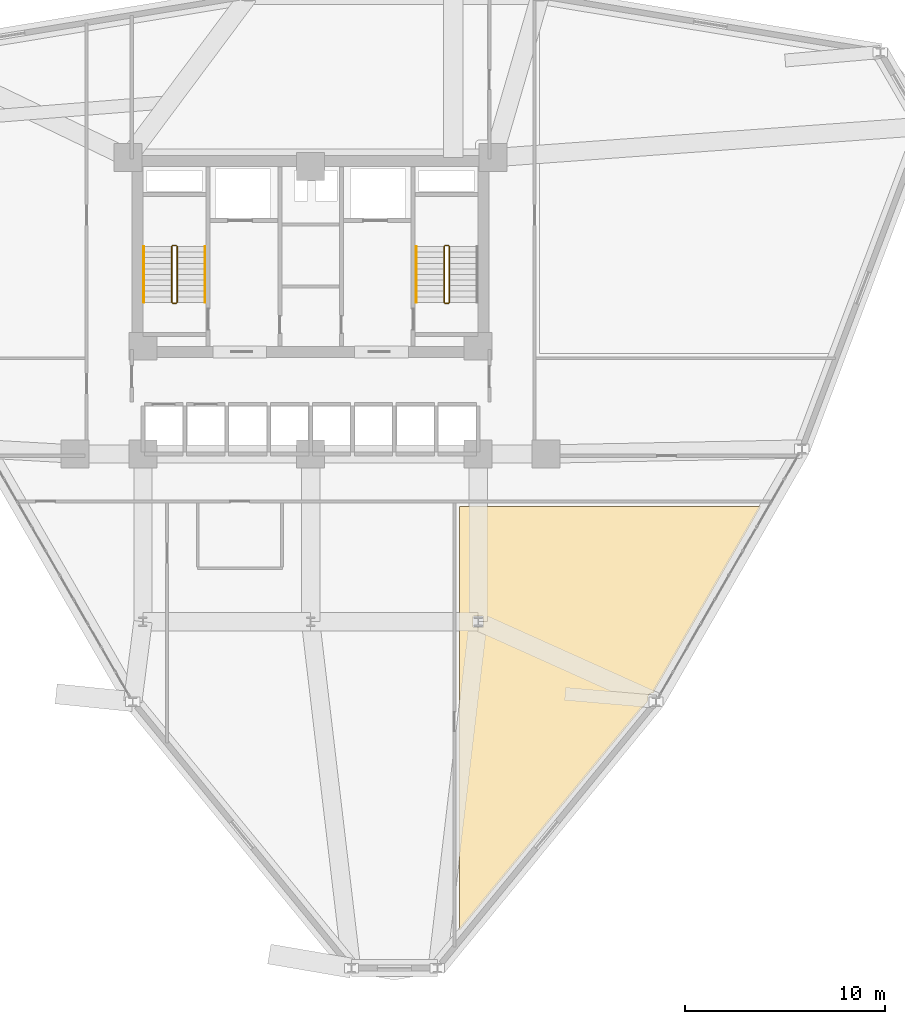
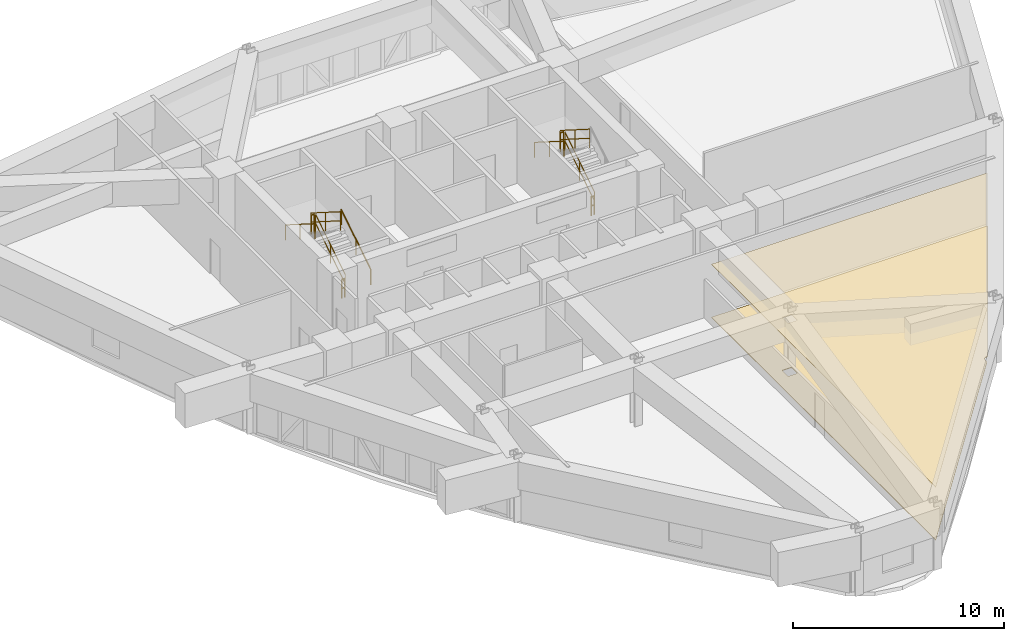
# One storey, part 17 of 18: 11 railings, 2 coverings.
"""IFC4 building model written with IfcOpenShell, lengths in metres."""

from ifc_helpers import new_model, si_unit, derived_unit, direction, frame, origin, origin_2d, place, context, subcontext, project, spatial, polyline, circle, outline, extrude, material, layer, layer_set, type_object, element, save


model = new_model("IFC4")

# Units and contexts
model_context = context("Model", 3, precision=1e-05, world=origin(), true_north=direction((0.0, 1.0)))
body_context = subcontext(model_context, "Body", "Model", "MODEL_VIEW")
ifc_project = project(units=[si_unit("LENGTHUNIT", "METRE"), si_unit("AREAUNIT", "SQUARE_METRE"), si_unit("VOLUMEUNIT", "CUBIC_METRE"), si_unit("PLANEANGLEUNIT", "RADIAN"), si_unit("MASSUNIT", "GRAM", prefix="KILO"), derived_unit("THERMALTRANSMITTANCEUNIT", [(si_unit("POWERUNIT", "WATT"), 1), (si_unit("LENGTHUNIT", "METRE"), -2), (si_unit("THERMODYNAMICTEMPERATUREUNIT", "KELVIN"), -1)])], contexts=[model_context])

# Site, building, storey
site_placement = place(None, origin())
site = spatial("IfcSite", under=ifc_project, at=site_placement, CompositionType="ELEMENT")
building_placement = place(site_placement, origin())
building = spatial("IfcBuilding", under=site, at=building_placement, Name="Korsvarv Bourse and Concert Hall", CompositionType="ELEMENT")
storey_placement = place(building_placement, frame((0.0, 0.0, 95.10009765625)))
storey = spatial("IfcBuildingStorey", under=building, at=storey_placement, Name="L23", CompositionType="ELEMENT", Elevation=95.10009765625)

# Coverings
ifc_material_1 = material(Name="Perforated mineral-wool and birch acoustic baffle ceiling", Category="wood")
ifc_layer_1 = layer(ifc_material_1, 0.02490234375)
ifc_layer_set_1 = layer_set([ifc_layer_1], Name="Perforated mineral-wool and birch acoustic baffle ceiling")
covering_type_1 = type_object("IfcCoveringType", Name="COV-CEIL-1", PredefinedType="CEILING", material=ifc_layer_set_1)
covering_1_placement = place(storey_placement, frame((0.0, 0.0, 3.079833984375)))
element("IfcCovering", 1, at=covering_1_placement, inside=storey, type_object=covering_type_1, Name="L23 acoustic baffle ceiling 2", PredefinedType="CEILING", context=body_context, shape_type="SweptSolid", body=[
    extrude(outline(polyline([(53.097900390625, 20.418212890625), (53.063720703125, 20.4150390625), (53.030517578125, 20.4052734375), (53.0, 20.389404296875), (52.972900390625, 20.367919921875), (52.95068359375, 20.341796875), (52.93359375, 20.31201171875), (52.922607421875, 20.279296875), (52.91796875, 20.2451171875), (52.910400390625, 20.040283203125), (43.449951171875, 8.51220703125), (43.449951171875, 29.77001953125), (58.56298828125, 29.77001953125), (53.163818359375, 20.418212890625), (53.097900390625, 20.418212890625)]), holes=[polyline([(44.173583984375, 23.715087890625), (44.612060546875, 23.712890625), (44.635498046875, 23.718994140625), (44.653564453125, 23.735107421875), (44.661865234375, 23.758056640625), (44.662109375, 24.237060546875), (44.656005859375, 24.260498046875), (44.639892578125, 24.278564453125), (44.616943359375, 24.286865234375), (44.18798828125, 24.287109375), (44.164306640625, 24.281005859375), (44.146484375, 24.264892578125), (44.13818359375, 24.241943359375), (44.137939453125, 23.762939453125), (44.143798828125, 23.739501953125), (44.173583984375, 23.715087890625)])]), origin(), (0.0, 0.0, 1.0), 0.025146484375),
])
ifc_material_2 = material(Name="Calcium-sulphate raised access trading floor with Nordic oak top", Category="wood")
ifc_layer_2 = layer(ifc_material_2, 0.0400390625)
ifc_layer_set_2 = layer_set([ifc_layer_2], Name="Calcium-sulphate raised access trading floor with Nordic oak top")
covering_type_2 = type_object("IfcCoveringType", Name="COV-FLOR-1", PredefinedType="FLOORING", material=ifc_layer_set_2)
covering_2_placement = place(storey_placement, origin())
element("IfcCovering", 2, at=covering_2_placement, inside=storey, type_object=covering_type_2, Name="L23 raised access oak floor finish 2", PredefinedType="FLOORING", context=body_context, shape_type="SweptSolid", body=[
    extrude(outline(polyline([(53.097900390625, 20.418212890625), (53.063720703125, 20.4150390625), (53.030517578125, 20.4052734375), (53.0, 20.389404296875), (52.972900390625, 20.367919921875), (52.95068359375, 20.341796875), (52.93359375, 20.31201171875), (52.922607421875, 20.279296875), (52.91796875, 20.2451171875), (52.910400390625, 20.040283203125), (43.449951171875, 8.51220703125), (43.449951171875, 29.77001953125), (58.56298828125, 29.77001953125), (53.163818359375, 20.418212890625), (53.097900390625, 20.418212890625)]), holes=[polyline([(44.173583984375, 23.715087890625), (44.612060546875, 23.712890625), (44.635498046875, 23.718994140625), (44.653564453125, 23.735107421875), (44.661865234375, 23.758056640625), (44.662109375, 24.237060546875), (44.656005859375, 24.260498046875), (44.639892578125, 24.278564453125), (44.616943359375, 24.286865234375), (44.18798828125, 24.287109375), (44.164306640625, 24.281005859375), (44.146484375, 24.264892578125), (44.13818359375, 24.241943359375), (44.137939453125, 23.762939453125), (44.143798828125, 23.739501953125), (44.173583984375, 23.715087890625)])]), origin(), (0.0, 0.0, 1.0), 0.039794921875),
])

# Railings
ifc_material_3 = material(Name="Painted Steel S355 stair well guardrail", Category="steel")
railing_type_1 = type_object("IfcRailingType", Name="RL-ST-GRD", PredefinedType="GUARDRAIL", material=ifc_material_3)
railing_1_placement = place(storey_placement, frame((29.31005859375, 40.0, 0.17724609375)))
element("IfcRailing", 3, at=railing_1_placement, inside=storey, type_object=railing_type_1, Name="L23 ST-T1 stair guard 1", PredefinedType="GUARDRAIL", context=body_context, shape_type="SweptSolid", body=[
    extrude(circle(Radius=0.02392578125, at=origin_2d()), frame((0.0, 0.0, 1.076171875), z_axis=(0.0, 0.844908973607, 0.534910110503), x_axis=(-1.0, 0.0, 0.0)), (0.0, 0.0, 1.0), 3.31396484375),
    extrude(circle(Radius=0.02392578125, at=origin_2d()), frame((0.0, 0.0, 0.550048828125), z_axis=(0.0, 0.844908973607, 0.534910110503), x_axis=(-1.0, 0.0, 0.0)), (0.0, 0.0, 1.0), 3.31396484375),
    extrude(circle(Radius=0.02099609375, at=origin_2d()), origin(), (0.0, 0.0, 1.0), 1.052001953125),
    extrude(circle(Radius=0.02099609375, at=origin_2d()), frame((0.0, 1.39990234375, 0.88623046875)), (0.0, 0.0, 1.0), 1.052001953125),
    extrude(circle(Radius=0.02099609375, at=origin_2d()), frame((0.0, 2.800048828125, 1.772705078125)), (0.0, 0.0, 1.0), 1.052001953125),
])
railing_2_placement = place(storey_placement, frame((29.260009765625, 42.85009765625, 1.949951171875)))
element("IfcRailing", 4, at=railing_2_placement, inside=storey, type_object=railing_type_1, Name="L23 ST-T1 stair guard 2", PredefinedType="GUARDRAIL", context=body_context, shape_type="SweptSolid", body=[
    extrude(circle(Radius=0.02392578125, at=origin_2d()), frame((0.0, 0.0, 1.076171875), z_axis=(-1.0, 0.0, 0.0), x_axis=(0.0, -1.0, 0.0)), (0.0, 0.0, 1.0), 0.159912109375),
    extrude(circle(Radius=0.02392578125, at=origin_2d()), frame((0.0, 0.0, 0.550048828125), z_axis=(-1.0, 0.0, 0.0), x_axis=(0.0, -1.0, 0.0)), (0.0, 0.0, 1.0), 0.159912109375),
    extrude(circle(Radius=0.02099609375, at=origin_2d()), origin(), (0.0, 0.0, 1.0), 1.052001953125),
    extrude(circle(Radius=0.02099609375, at=origin_2d()), frame((-0.159912109375, 0.0, 0.0)), (0.0, 0.0, 1.0), 1.052001953125),
])
railing_3_placement = place(storey_placement, frame((29.050048828125, 42.800048828125, 2.127197265625)))
element("IfcRailing", 5, at=railing_3_placement, inside=storey, type_object=railing_type_1, Name="L23 ST-T1 stair guard 3", PredefinedType="GUARDRAIL", context=body_context, shape_type="SweptSolid", body=[
    extrude(circle(Radius=0.02392578125, at=origin_2d()), frame((0.0, 0.0, 1.076171875), z_axis=(0.0, -0.844908973607, 0.534910110503), x_axis=(1.0, 0.0, 0.0)), (0.0, 0.0, 1.0), 3.31396484375),
    extrude(circle(Radius=0.02392578125, at=origin_2d()), frame((0.0, 0.0, 0.550048828125), z_axis=(0.0, -0.844908973607, 0.534910110503), x_axis=(1.0, 0.0, 0.0)), (0.0, 0.0, 1.0), 3.31396484375),
    extrude(circle(Radius=0.02099609375, at=origin_2d()), origin(), (0.0, 0.0, 1.0), 1.052001953125),
    extrude(circle(Radius=0.02099609375, at=origin_2d()), frame((0.0, -1.39990234375, 0.88623046875)), (0.0, 0.0, 1.0), 1.052001953125),
    extrude(circle(Radius=0.02099609375, at=origin_2d()), frame((0.0, -2.800048828125, 1.772705078125)), (0.0, 0.0, 1.0), 1.052001953125),
])
railing_4_placement = place(storey_placement, frame((29.260009765625, 39.949951171875, 0.0)))
element("IfcRailing", 6, at=railing_4_placement, inside=storey, type_object=railing_type_1, Name="L23 ST-T1 stair guard 4", PredefinedType="GUARDRAIL", context=body_context, shape_type="SweptSolid", body=[
    extrude(circle(Radius=0.02392578125, at=origin_2d()), frame((0.0, 0.0, 1.076171875), z_axis=(-1.0, 0.0, 0.0), x_axis=(0.0, -1.0, 0.0)), (0.0, 0.0, 1.0), 0.159912109375),
    extrude(circle(Radius=0.02392578125, at=origin_2d()), frame((0.0, 0.0, 0.550048828125), z_axis=(-1.0, 0.0, 0.0), x_axis=(0.0, -1.0, 0.0)), (0.0, 0.0, 1.0), 0.159912109375),
    extrude(circle(Radius=0.02099609375, at=origin_2d()), origin(), (0.0, 0.0, 1.0), 1.052001953125),
    extrude(circle(Radius=0.02099609375, at=origin_2d()), frame((-0.159912109375, 0.0, 0.0)), (0.0, 0.0, 1.0), 1.052001953125),
])
railing_5_placement = place(storey_placement, frame((42.949951171875, 40.0, 0.17724609375)))
element("IfcRailing", 7, at=railing_5_placement, inside=storey, type_object=railing_type_1, Name="L23 ST-T2 stair guard 1", PredefinedType="GUARDRAIL", context=body_context, shape_type="SweptSolid", body=[
    extrude(circle(Radius=0.02392578125, at=origin_2d()), frame((0.0, 0.0, 1.076171875), z_axis=(0.0, 0.844908973607, 0.534910110503), x_axis=(-1.0, 0.0, 0.0)), (0.0, 0.0, 1.0), 3.31396484375),
    extrude(circle(Radius=0.02392578125, at=origin_2d()), frame((0.0, 0.0, 0.550048828125), z_axis=(0.0, 0.844908973607, 0.534910110503), x_axis=(-1.0, 0.0, 0.0)), (0.0, 0.0, 1.0), 3.31396484375),
    extrude(circle(Radius=0.02099609375, at=origin_2d()), origin(), (0.0, 0.0, 1.0), 1.052001953125),
    extrude(circle(Radius=0.02099609375, at=origin_2d()), frame((0.0, 1.39990234375, 0.88623046875)), (0.0, 0.0, 1.0), 1.052001953125),
    extrude(circle(Radius=0.02099609375, at=origin_2d()), frame((0.0, 2.800048828125, 1.772705078125)), (0.0, 0.0, 1.0), 1.052001953125),
])
railing_6_placement = place(storey_placement, frame((42.89990234375, 42.85009765625, 1.949951171875)))
element("IfcRailing", 8, at=railing_6_placement, inside=storey, type_object=railing_type_1, Name="L23 ST-T2 stair guard 2", PredefinedType="GUARDRAIL", context=body_context, shape_type="SweptSolid", body=[
    extrude(circle(Radius=0.02392578125, at=origin_2d()), frame((0.0, 0.0, 1.076171875), z_axis=(-1.0, 0.0, 0.0), x_axis=(0.0, -1.0, 0.0)), (0.0, 0.0, 1.0), 0.159912109375),
    extrude(circle(Radius=0.02392578125, at=origin_2d()), frame((0.0, 0.0, 0.550048828125), z_axis=(-1.0, 0.0, 0.0), x_axis=(0.0, -1.0, 0.0)), (0.0, 0.0, 1.0), 0.159912109375),
    extrude(circle(Radius=0.02099609375, at=origin_2d()), origin(), (0.0, 0.0, 1.0), 1.052001953125),
    extrude(circle(Radius=0.02099609375, at=origin_2d()), frame((-0.159912109375, 0.0, 0.0)), (0.0, 0.0, 1.0), 1.052001953125),
])
railing_7_placement = place(storey_placement, frame((42.68994140625, 42.800048828125, 2.127197265625)))
element("IfcRailing", 9, at=railing_7_placement, inside=storey, type_object=railing_type_1, Name="L23 ST-T2 stair guard 3", PredefinedType="GUARDRAIL", context=body_context, shape_type="SweptSolid", body=[
    extrude(circle(Radius=0.02392578125, at=origin_2d()), frame((0.0, 0.0, 1.076171875), z_axis=(0.0, -0.844908973607, 0.534910110503), x_axis=(1.0, 0.0, 0.0)), (0.0, 0.0, 1.0), 3.31396484375),
    extrude(circle(Radius=0.02392578125, at=origin_2d()), frame((0.0, 0.0, 0.550048828125), z_axis=(0.0, -0.844908973607, 0.534910110503), x_axis=(1.0, 0.0, 0.0)), (0.0, 0.0, 1.0), 3.31396484375),
    extrude(circle(Radius=0.02099609375, at=origin_2d()), origin(), (0.0, 0.0, 1.0), 1.052001953125),
    extrude(circle(Radius=0.02099609375, at=origin_2d()), frame((0.0, -1.39990234375, 0.88623046875)), (0.0, 0.0, 1.0), 1.052001953125),
    extrude(circle(Radius=0.02099609375, at=origin_2d()), frame((0.0, -2.800048828125, 1.772705078125)), (0.0, 0.0, 1.0), 1.052001953125),
])
railing_8_placement = place(storey_placement, frame((42.89990234375, 39.949951171875, 0.0)))
element("IfcRailing", 10, at=railing_8_placement, inside=storey, type_object=railing_type_1, Name="L23 ST-T2 stair guard 4", PredefinedType="GUARDRAIL", context=body_context, shape_type="SweptSolid", body=[
    extrude(circle(Radius=0.02392578125, at=origin_2d()), frame((0.0, 0.0, 1.076171875), z_axis=(-1.0, 0.0, 0.0), x_axis=(0.0, -1.0, 0.0)), (0.0, 0.0, 1.0), 0.159912109375),
    extrude(circle(Radius=0.02392578125, at=origin_2d()), frame((0.0, 0.0, 0.550048828125), z_axis=(-1.0, 0.0, 0.0), x_axis=(0.0, -1.0, 0.0)), (0.0, 0.0, 1.0), 0.159912109375),
    extrude(circle(Radius=0.02099609375, at=origin_2d()), origin(), (0.0, 0.0, 1.0), 1.052001953125),
    extrude(circle(Radius=0.02099609375, at=origin_2d()), frame((-0.159912109375, 0.0, 0.0)), (0.0, 0.0, 1.0), 1.052001953125),
])
ifc_material_4 = material(Name="Brushed stainless Steel S355 tubular handrail", Category="steel")
railing_type_2 = type_object("IfcRailingType", Name="RL-ST-HND", PredefinedType="HANDRAIL", material=ifc_material_4)
railing_9_placement = place(storey_placement, frame((30.7099609375, 40.0, 0.17724609375)))
element("IfcRailing", 11, at=railing_9_placement, inside=storey, type_object=railing_type_2, Name="L23 ST-T1 stair handrail 1", PredefinedType="HANDRAIL", context=body_context, shape_type="SweptSolid", body=[
    extrude(circle(Radius=0.02392578125, at=origin_2d()), frame((0.0, 0.0, 0.8759765625), z_axis=(0.0, 0.844908973607, 0.534910110503), x_axis=(-1.0, 0.0, 0.0)), (0.0, 0.0, 1.0), 3.31396484375),
    extrude(circle(Radius=0.02099609375, at=origin_2d()), origin(), (0.0, 0.0, 1.0), 0.851806640625),
    extrude(circle(Radius=0.02099609375, at=origin_2d()), frame((0.0, 1.39990234375, 0.88623046875)), (0.0, 0.0, 1.0), 0.851806640625),
    extrude(circle(Radius=0.02099609375, at=origin_2d()), frame((0.0, 2.800048828125, 1.772705078125)), (0.0, 0.0, 1.0), 0.851806640625),
])
for number, where, name in (
    (12, (27.64990234375, 42.800048828125, 2.127197265625), "L23 ST-T1 stair handrail 2"),
    (13, (41.2900390625, 42.800048828125, 2.127197265625), "L23 ST-T2 stair handrail 2"),
):
    element("IfcRailing", number, at=place(storey_placement, frame(where)), inside=storey, type_object=railing_type_2, Name=name, PredefinedType="HANDRAIL", context=body_context, shape_type="SweptSolid", body=[
        extrude(circle(Radius=0.02392578125, at=origin_2d()), frame((0.0, 0.0, 0.8759765625), z_axis=(0.0, -0.844908973607, 0.534910110503), x_axis=(1.0, 0.0, 0.0)), (0.0, 0.0, 1.0), 3.31396484375),
        extrude(circle(Radius=0.02099609375, at=origin_2d()), origin(), (0.0, 0.0, 1.0), 0.851806640625),
        extrude(circle(Radius=0.02099609375, at=origin_2d()), frame((0.0, -1.39990234375, 0.88623046875)), (0.0, 0.0, 1.0), 0.851806640625),
        extrude(circle(Radius=0.02099609375, at=origin_2d()), frame((0.0, -2.800048828125, 1.772705078125)), (0.0, 0.0, 1.0), 0.851806640625),
    ])

save(model, "model.ifc")
